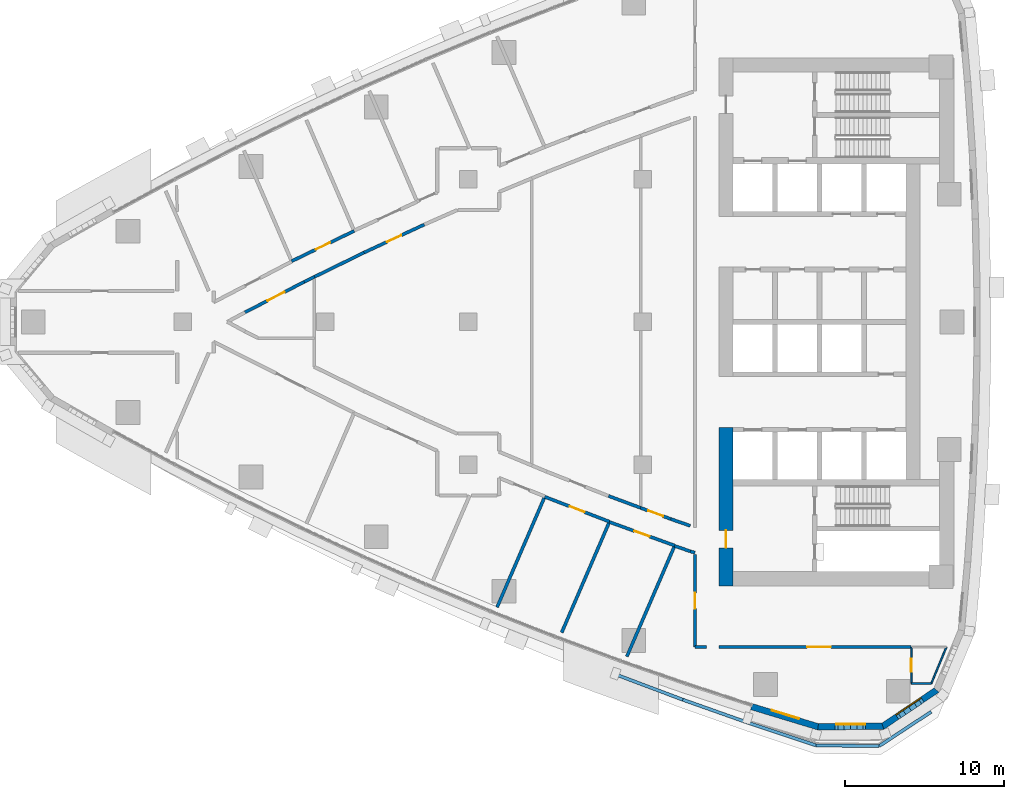
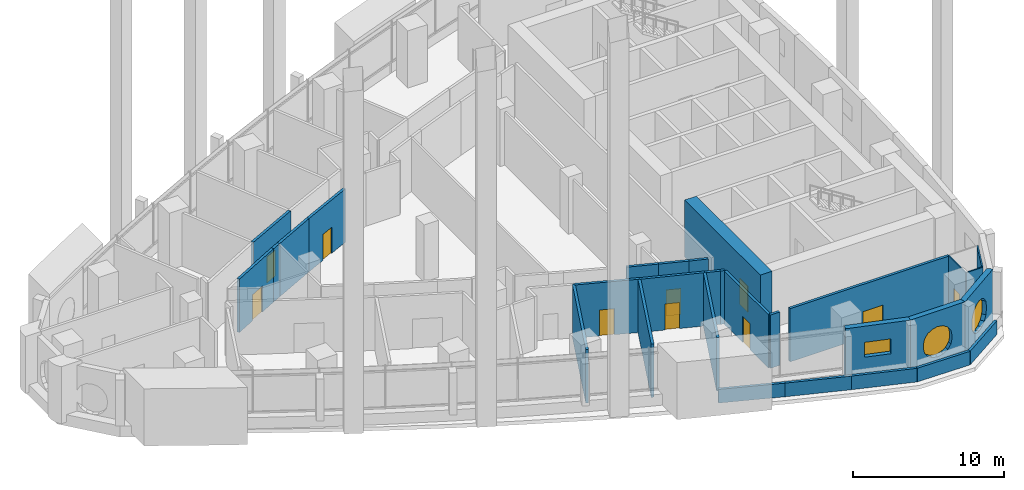
# One storey, part 8 of 17: 30 walls, 10 doors, 3 windows, 13 openings.
"""IFC4 building model written with IfcOpenShell, lengths in metres."""

from ifc_helpers import new_model, si_unit, direction, frame, frame_2d, origin, place, context, subcontext, project, spatial, polyline, rectangle, outline, extrude, material, layer, layer_set, type_object, element, fill, save


model = new_model("IFC4")

# Units and contexts
model_context = context("Model", 3, precision=1e-05, world=origin(), true_north=direction((0.0, 1.0)))
body_context = subcontext(model_context, "Body", "Model", "MODEL_VIEW")
ifc_project = project(units=[si_unit("LENGTHUNIT", "METRE"), si_unit("AREAUNIT", "SQUARE_METRE"), si_unit("VOLUMEUNIT", "CUBIC_METRE"), si_unit("PLANEANGLEUNIT", "RADIAN"), si_unit("MASSUNIT", "GRAM", prefix="KILO")], contexts=[model_context])

# Site, building, storey
site_placement = place(None, origin())
site = spatial("IfcSite", under=ifc_project, at=site_placement, CompositionType="ELEMENT")
building_placement = place(site_placement, origin())
building = spatial("IfcBuilding", under=site, at=building_placement, Name="Ostrand Prow Hotel Tower", CompositionType="ELEMENT")
storey_placement = place(building_placement, frame((0.0, 0.0, 125.60009765625)))
storey = spatial("IfcBuildingStorey", under=building, at=storey_placement, Name="L30", CompositionType="ELEMENT", Elevation=125.60009765625)

# Wall, opening, door
ifc_material_1 = material(Name="Concrete C70/85", Category="concrete")
ifc_layer_1 = layer(ifc_material_1, 0.89990234375)
ifc_layer_set_1 = layer_set([ifc_layer_1], Name="Concrete C70/85")
wall_type_1 = type_object("IfcWallType", Name="Core wall 900 C70/85", PredefinedType="SHEAR", material=ifc_layer_set_1)
wall_1_placement = place(storey_placement, frame((50.25, -16.64990234375, 0.0), z_axis=(0.0, 0.0, 1.0), x_axis=(0.0, 1.0, 0.0)))
wall_1 = element("IfcWall", 1, at=wall_1_placement, inside=storey, type_object=wall_type_1, Name="Core wall CW-W-S", PredefinedType="SHEAR", context=body_context, shape_type="SweptSolid", body=[
    extrude(rectangle(XDim=10.0, YDim=0.89990234375, at=frame_2d((5.0, 0.0))), origin(), (0.0, 0.0, 1.0), 4.599853515625),
])
opening_1_placement = place(wall_1_placement, frame((2.39990234375, 0.0, 0.0)))
opening_1 = element("IfcOpeningElement", 2, at=opening_1_placement, cuts=wall_1, Name="Opening FD1", PredefinedType="OPENING", context=body_context, shape_type="SweptSolid", body=[
    extrude(rectangle(XDim=1.10009765625, YDim=2.10009765625, at=frame_2d((0.550048828125, 1.050048828125))), frame((0.0, 0.4599609375, 0.0), z_axis=(0.0, -1.0, 0.0), x_axis=(1.0, 0.0, 0.0)), (0.0, 0.0, 1.0), 0.919921875),
])
ifc_material_2 = material(Name="Steel fire door", Category="steel")
door_type_1 = type_object("IfcDoorType", Name="Fire door 1100 EI120", OperationType="SINGLE_SWING_RIGHT", PredefinedType="DOOR", material=ifc_material_2)
door_1_placement = place(opening_1_placement, origin())
door_1 = element("IfcDoor", 3, at=door_1_placement, inside=storey, type_object=door_type_1, Name="FIRE DOOR", OperationType="SINGLE_SWING_RIGHT", OverallHeight=2.10009765625, OverallWidth=1.10009765625, PredefinedType="DOOR", context=body_context, shape_type="SweptSolid", body=[
    extrude(rectangle(XDim=1.10009765625, YDim=2.10009765625, at=frame_2d((0.550048828125, 1.050048828125))), frame((0.0, 0.02490234375, 0.0), z_axis=(0.0, -1.0, 0.0), x_axis=(1.0, 0.0, 0.0)), (0.0, 0.0, 1.0), 0.050048828125),
])
fill(opening_1, door_1)

ifc_material_3 = material(Name="Plasterboard partition")
ifc_layer_2 = layer(ifc_material_3, 0.10009765625)
ifc_layer_set_2 = layer_set([ifc_layer_2], Name="Plasterboard partition")
wall_type_2 = type_object("IfcWallType", Name="Partition 100 bathroom wall", PredefinedType="PARTITIONING", material=ifc_layer_set_2)
wall_2_placement = place(storey_placement, frame((61.9375, -22.800048828125, 0.0), z_axis=(0.0, 0.0, 1.0), x_axis=(0.0, 1.0, 0.0)))
wall_2 = element("IfcWall", 4, at=wall_2_placement, inside=storey, type_object=wall_type_2, Name="BATHROOM WALL", PredefinedType="PARTITIONING", context=body_context, shape_type="SweptSolid", body=[
    extrude(rectangle(XDim=2.300048828125, YDim=0.10009765625, at=frame_2d((1.14990234375, 0.0))), origin(), (0.0, 0.0, 1.0), 4.2998046875),
])
opening_2_placement = place(wall_2_placement, frame((0.75, 0.0, 0.0)))
opening_2 = element("IfcOpeningElement", 5, at=opening_2_placement, cuts=wall_2, Name="Opening D2", PredefinedType="OPENING", context=body_context, shape_type="SweptSolid", body=[
    extrude(rectangle(XDim=0.800048828125, YDim=2.10009765625, at=frame_2d((0.39990234375, 1.050048828125))), frame((0.0, 0.06005859375, 0.0), z_axis=(0.0, -1.0, 0.0), x_axis=(1.0, 0.0, 0.0)), (0.0, 0.0, 1.0), 0.1201171875),
])
ifc_material_4 = material(Name="Timber door leaf", Category="wood")
door_type_2 = type_object("IfcDoorType", Name="Bathroom door 800", OperationType="SINGLE_SWING_LEFT", PredefinedType="DOOR", material=ifc_material_4)
door_2_placement = place(opening_2_placement, origin())
door_2 = element("IfcDoor", 6, at=door_2_placement, inside=storey, type_object=door_type_2, Name="DOOR", OperationType="SINGLE_SWING_LEFT", OverallHeight=2.10009765625, OverallWidth=0.800048828125, PredefinedType="DOOR", context=body_context, shape_type="SweptSolid", body=[
    extrude(rectangle(XDim=0.800048828125, YDim=2.10009765625, at=frame_2d((0.39990234375, 1.050048828125))), frame((0.0, 0.02490234375, 0.0), z_axis=(0.0, -1.0, 0.0), x_axis=(1.0, 0.0, 0.0)), (0.0, 0.0, 1.0), 0.050048828125),
])
fill(opening_2, door_2)

# Walls
wall_3_placement = place(storey_placement, frame((63.1982421875, -22.800048828125, 0.0), z_axis=(0.0, 0.0, 1.0), x_axis=(-1.0, 0.0, 0.0)))
element("IfcWall", 7, at=wall_3_placement, inside=storey, type_object=wall_type_2, Name="BATHROOM WALL", PredefinedType="PARTITIONING", context=body_context, shape_type="SweptSolid", body=[
    extrude(rectangle(XDim=1.2607421875, YDim=0.10009765625, at=frame_2d((0.63037109375, 0.0))), origin(), (0.0, 0.0, 1.0), 4.2998046875),
])
wall_4_placement = place(storey_placement, frame((64.15234375, -20.5048828125, 0.0), z_axis=(0.0, 0.0, 1.0), x_axis=(-0.383855043906, -0.923393364319, 0.0)))
element("IfcWall", 8, at=wall_4_placement, inside=storey, type_object=wall_type_2, Name="BATHROOM WALL", PredefinedType="PARTITIONING", context=body_context, shape_type="SweptSolid", body=[
    extrude(rectangle(XDim=2.485595703125, YDim=0.10009765625, at=frame_2d((1.24267578125, 0.0))), origin(), (0.0, 0.0, 1.0), 4.2998046875),
])

# Wall, opening, door
ifc_material_5 = material(Name="Plasterboard partition")
ifc_layer_3 = layer(ifc_material_5, 0.199951171875)
ifc_layer_set_3 = layer_set([ifc_layer_3], Name="Plasterboard partition")
wall_type_3 = type_object("IfcWallType", Name="Partition 200 corridor wall", PredefinedType="PARTITIONING", material=ifc_layer_set_3)
wall_5_placement = place(storey_placement, frame((22.87109375, 3.826171875, 0.0), z_axis=(0.0, 0.0, 1.0), x_axis=(0.899988502444, 0.435913633038, 0.0)))
wall_5 = element("IfcWall", 9, at=wall_5_placement, inside=storey, type_object=wall_type_3, Name="CORRIDOR WALL", PredefinedType="PARTITIONING", context=body_context, shape_type="SweptSolid", body=[
    extrude(rectangle(XDim=4.3779296875, YDim=0.199951171875, at=frame_2d((2.18896484375, 0.0))), origin(), (0.0, 0.0, 1.0), 4.2998046875),
])
opening_3_placement = place(wall_5_placement, frame((1.68896484375, 0.0, 0.0)))
opening_3 = element("IfcOpeningElement", 10, at=opening_3_placement, cuts=wall_5, Name="Opening D1R", PredefinedType="OPENING", context=body_context, shape_type="SweptSolid", body=[
    extrude(rectangle(XDim=1.0, YDim=2.10009765625, at=frame_2d((0.5, 1.050048828125))), frame((0.0, 0.10986328125, 0.0), z_axis=(0.0, -1.0, 0.0), x_axis=(1.0, 0.0, 0.0)), (0.0, 0.0, 1.0), 0.219970703125),
])
ifc_material_6 = material(Name="Timber door leaf", Category="wood")
door_type_3 = type_object("IfcDoorType", Name="Guest room door 1000 right", OperationType="SINGLE_SWING_RIGHT", PredefinedType="DOOR", material=ifc_material_6)
door_3_placement = place(opening_3_placement, origin())
door_3 = element("IfcDoor", 11, at=door_3_placement, inside=storey, type_object=door_type_3, Name="DOOR", OperationType="SINGLE_SWING_RIGHT", OverallHeight=2.10009765625, OverallWidth=1.0, PredefinedType="DOOR", context=body_context, shape_type="SweptSolid", body=[
    extrude(rectangle(XDim=1.0, YDim=2.10009765625, at=frame_2d((0.5, 1.050048828125))), frame((0.0, 0.02490234375, 0.0), z_axis=(0.0, -1.0, 0.0), x_axis=(1.0, 0.0, 0.0)), (0.0, 0.0, 1.0), 0.050048828125),
])
fill(opening_3, door_3)

wall_6_placement = place(storey_placement, frame((38.824462890625, -11.027587890625, 0.0), z_axis=(0.0, 0.0, 1.0), x_axis=(0.933279441896, -0.359151059215, 0.0)))
wall_6 = element("IfcWall", 12, at=wall_6_placement, inside=storey, type_object=wall_type_3, Name="CORRIDOR WALL", PredefinedType="PARTITIONING", context=body_context, shape_type="SweptSolid", body=[
    extrude(rectangle(XDim=4.375732421875, YDim=0.199951171875, at=frame_2d((2.18798828125, 0.0))), origin(), (0.0, 0.0, 1.0), 4.2998046875),
])
opening_4_placement = place(wall_6_placement, frame((1.68798828125, 0.0, 0.0)))
opening_4 = element("IfcOpeningElement", 13, at=opening_4_placement, cuts=wall_6, Name="Opening D1R", PredefinedType="OPENING", context=body_context, shape_type="SweptSolid", body=[
    extrude(rectangle(XDim=1.0, YDim=2.10009765625, at=frame_2d((0.5, 1.050048828125))), frame((0.0, 0.10986328125, 0.0), z_axis=(0.0, -1.0, 0.0), x_axis=(1.0, 0.0, 0.0)), (0.0, 0.0, 1.0), 0.219970703125),
])
door_4_placement = place(opening_4_placement, origin())
door_4 = element("IfcDoor", 14, at=door_4_placement, inside=storey, type_object=door_type_3, Name="DOOR", OperationType="SINGLE_SWING_RIGHT", OverallHeight=2.10009765625, OverallWidth=1.0, PredefinedType="DOOR", context=body_context, shape_type="SweptSolid", body=[
    extrude(rectangle(XDim=1.0, YDim=2.10009765625, at=frame_2d((0.5, 1.050048828125))), frame((0.0, 0.02490234375, 0.0), z_axis=(0.0, -1.0, 0.0), x_axis=(1.0, 0.0, 0.0)), (0.0, 0.0, 1.0), 0.050048828125),
])
fill(opening_4, door_4)

wall_7_placement = place(storey_placement, frame((42.900390625, -12.617431640625, 0.0), z_axis=(0.0, 0.0, 1.0), x_axis=(0.940555877924, -0.339638985546, 0.0)))
wall_7 = element("IfcWall", 15, at=wall_7_placement, inside=storey, type_object=wall_type_3, Name="CORRIDOR WALL", PredefinedType="PARTITIONING", context=body_context, shape_type="SweptSolid", body=[
    extrude(rectangle(XDim=4.380615234375, YDim=0.199951171875, at=frame_2d((2.1904296875, 0.0))), origin(), (0.0, 0.0, 1.0), 4.2998046875),
])
opening_5_placement = place(wall_7_placement, frame((1.690185546875, 0.0, 0.0)))
opening_5 = element("IfcOpeningElement", 16, at=opening_5_placement, cuts=wall_7, Name="Opening D1", PredefinedType="OPENING", context=body_context, shape_type="SweptSolid", body=[
    extrude(rectangle(XDim=1.0, YDim=2.10009765625, at=frame_2d((0.5, 1.050048828125))), frame((0.0, 0.10986328125, 0.0), z_axis=(0.0, -1.0, 0.0), x_axis=(1.0, 0.0, 0.0)), (0.0, 0.0, 1.0), 0.219970703125),
])
ifc_material_7 = material(Name="Timber door leaf", Category="wood")
door_type_4 = type_object("IfcDoorType", Name="Guest room door 1000", OperationType="SINGLE_SWING_LEFT", PredefinedType="DOOR", material=ifc_material_7)
door_5_placement = place(opening_5_placement, origin())
door_5 = element("IfcDoor", 17, at=door_5_placement, inside=storey, type_object=door_type_4, Name="DOOR", OperationType="SINGLE_SWING_LEFT", OverallHeight=2.10009765625, OverallWidth=1.0, PredefinedType="DOOR", context=body_context, shape_type="SweptSolid", body=[
    extrude(rectangle(XDim=1.0, YDim=2.10009765625, at=frame_2d((0.5, 1.050048828125))), frame((0.0, 0.02490234375, 0.0), z_axis=(0.0, -1.0, 0.0), x_axis=(1.0, 0.0, 0.0)), (0.0, 0.0, 1.0), 0.050048828125),
])
fill(opening_5, door_5)

wall_8_placement = place(storey_placement, frame((19.928466796875, 0.60205078125, 0.0), z_axis=(0.0, 0.0, 1.0), x_axis=(0.889140337289, 0.457634636589, 0.0)))
wall_8 = element("IfcWall", 18, at=wall_8_placement, inside=storey, type_object=wall_type_3, Name="CORRIDOR WALL", PredefinedType="PARTITIONING", context=body_context, shape_type="SweptSolid", body=[
    extrude(rectangle(XDim=4.1953125, YDim=0.199951171875, at=frame_2d((2.09765625, 0.0))), origin(), (0.0, 0.0, 1.0), 4.2998046875),
])
opening_6_placement = place(wall_8_placement, frame((1.59765625, 0.0, 0.0)))
opening_6 = element("IfcOpeningElement", 19, at=opening_6_placement, cuts=wall_8, Name="Opening D12", PredefinedType="OPENING", context=body_context, shape_type="SweptSolid", body=[
    extrude(rectangle(XDim=1.199951171875, YDim=2.10009765625, at=frame_2d((0.60009765625, 1.050048828125))), frame((0.0, 0.10986328125, 0.0), z_axis=(0.0, -1.0, 0.0), x_axis=(1.0, 0.0, 0.0)), (0.0, 0.0, 1.0), 0.219970703125),
])
ifc_material_8 = material(Name="Steel service door", Category="steel")
door_type_5 = type_object("IfcDoorType", Name="Service door 1200", OperationType="SINGLE_SWING_RIGHT", PredefinedType="DOOR", material=ifc_material_8)
door_6_placement = place(opening_6_placement, origin())
door_6 = element("IfcDoor", 20, at=door_6_placement, inside=storey, type_object=door_type_5, Name="DOOR", OperationType="SINGLE_SWING_RIGHT", OverallHeight=2.10009765625, OverallWidth=1.199951171875, PredefinedType="DOOR", context=body_context, shape_type="SweptSolid", body=[
    extrude(rectangle(XDim=1.199951171875, YDim=2.10009765625, at=frame_2d((0.60009765625, 1.050048828125))), frame((0.0, 0.02490234375, 0.0), z_axis=(0.0, -1.0, 0.0), x_axis=(1.0, 0.0, 0.0)), (0.0, 0.0, 1.0), 0.050048828125),
])
fill(opening_6, door_6)

# Wall
wall_9_placement = place(storey_placement, frame((23.65869140625, 2.52197265625, 0.0), z_axis=(0.0, 0.0, 1.0), x_axis=(0.898090277551, 0.439811156485, 0.0)))
element("IfcWall", 21, at=wall_9_placement, inside=storey, type_object=wall_type_3, Name="CORRIDOR WALL", PredefinedType="PARTITIONING", context=body_context, shape_type="SweptSolid", body=[
    extrude(rectangle(XDim=0.7138671875, YDim=0.199951171875, at=frame_2d((0.35693359375, 0.0))), origin(), (0.0, 0.0, 1.0), 4.2998046875),
])

# Wall, opening, door
wall_10_placement = place(storey_placement, frame((27.4267578125, 4.36669921875, 0.0), z_axis=(0.0, 0.0, 1.0), x_axis=(0.906830275285, 0.421495968933, 0.0)))
wall_10 = element("IfcWall", 22, at=wall_10_placement, inside=storey, type_object=wall_type_3, Name="CORRIDOR WALL", PredefinedType="PARTITIONING", context=body_context, shape_type="SweptSolid", body=[
    extrude(rectangle(XDim=4.1953125, YDim=0.199951171875, at=frame_2d((2.09765625, 0.0))), origin(), (0.0, 0.0, 1.0), 4.2998046875),
])
opening_7_placement = place(wall_10_placement, frame((1.59765625, 0.0, 0.0)))
opening_7 = element("IfcOpeningElement", 23, at=opening_7_placement, cuts=wall_10, Name="Opening D1R", PredefinedType="OPENING", context=body_context, shape_type="SweptSolid", body=[
    extrude(rectangle(XDim=1.0, YDim=2.10009765625, at=frame_2d((0.5, 1.050048828125))), frame((0.0, 0.10986328125, 0.0), z_axis=(0.0, -1.0, 0.0), x_axis=(1.0, 0.0, 0.0)), (0.0, 0.0, 1.0), 0.219970703125),
])
door_7_placement = place(opening_7_placement, origin())
door_7 = element("IfcDoor", 24, at=door_7_placement, inside=storey, type_object=door_type_3, Name="DOOR", OperationType="SINGLE_SWING_RIGHT", OverallHeight=2.10009765625, OverallWidth=1.0, PredefinedType="DOOR", context=body_context, shape_type="SweptSolid", body=[
    extrude(rectangle(XDim=1.0, YDim=2.10009765625, at=frame_2d((0.5, 1.050048828125))), frame((0.0, 0.02490234375, 0.0), z_axis=(0.0, -1.0, 0.0), x_axis=(1.0, 0.0, 0.0)), (0.0, 0.0, 1.0), 0.050048828125),
])
fill(opening_7, door_7)

# Walls
wall_11_placement = place(storey_placement, frame((24.2998046875, 2.8359375, 0.0), z_axis=(0.0, 0.0, 1.0), x_axis=(0.898154271981, 0.43968045638, 0.0)))
element("IfcWall", 25, at=wall_11_placement, inside=storey, type_object=wall_type_3, Name="CORRIDOR WALL", PredefinedType="PARTITIONING", context=body_context, shape_type="SweptSolid", body=[
    extrude(rectangle(XDim=3.4814453125, YDim=0.199951171875, at=frame_2d((1.74072265625, 0.0))), origin(), (0.0, 0.0, 1.0), 4.2998046875),
])
wall_12_placement = place(storey_placement, frame((44.871337890625, -11.7265625, 0.0), z_axis=(0.0, 0.0, 1.0), x_axis=(-0.937739210033, 0.347340141601, 0.0)))
element("IfcWall", 26, at=wall_12_placement, inside=storey, type_object=wall_type_3, Name="CORRIDOR WALL", PredefinedType="PARTITIONING", context=body_context, shape_type="SweptSolid", body=[
    extrude(rectangle(XDim=2.158447265625, YDim=0.199951171875, at=frame_2d((1.0791015625, 0.0))), origin(), (0.0, 0.0, 1.0), 4.2998046875),
])

# Wall, opening, door
wall_13_placement = place(storey_placement, frame((46.78125, -12.43408203125, 0.0), z_axis=(0.0, 0.0, 1.0), x_axis=(-0.937725623728, 0.347376819323, 0.0)))
wall_13 = element("IfcWall", 27, at=wall_13_placement, inside=storey, type_object=wall_type_3, Name="CORRIDOR WALL", PredefinedType="PARTITIONING", context=body_context, shape_type="SweptSolid", body=[
    extrude(rectangle(XDim=2.036865234375, YDim=0.199951171875, at=frame_2d((1.0185546875, 0.0))), origin(), (0.0, 0.0, 1.0), 4.2998046875),
])
opening_8_placement = place(wall_13_placement, frame((0.518310546875, 0.0, 0.0)))
opening_8 = element("IfcOpeningElement", 28, at=opening_8_placement, cuts=wall_13, Name="Opening D1R", PredefinedType="OPENING", context=body_context, shape_type="SweptSolid", body=[
    extrude(rectangle(XDim=1.0, YDim=2.10009765625, at=frame_2d((0.5, 1.050048828125))), frame((0.0, 0.10986328125, 0.0), z_axis=(0.0, -1.0, 0.0), x_axis=(1.0, 0.0, 0.0)), (0.0, 0.0, 1.0), 0.219970703125),
])
door_8_placement = place(opening_8_placement, origin())
door_8 = element("IfcDoor", 29, at=door_8_placement, inside=storey, type_object=door_type_3, Name="DOOR", OperationType="SINGLE_SWING_RIGHT", OverallHeight=2.10009765625, OverallWidth=1.0, PredefinedType="DOOR", context=body_context, shape_type="SweptSolid", body=[
    extrude(rectangle(XDim=1.0, YDim=2.10009765625, at=frame_2d((0.5, 1.050048828125))), frame((0.0, 0.02490234375, 0.0), z_axis=(0.0, -1.0, 0.0), x_axis=(1.0, 0.0, 0.0)), (0.0, 0.0, 1.0), 0.050048828125),
])
fill(opening_8, door_8)

wall_14_placement = place(storey_placement, frame((49.800048828125, -20.5048828125, 0.0), z_axis=(0.0, 0.0, 1.0), x_axis=(1.0, 0.0, 0.0)))
wall_14 = element("IfcWall", 30, at=wall_14_placement, inside=storey, type_object=wall_type_3, Name="CORRIDOR WALL", PredefinedType="PARTITIONING", context=body_context, shape_type="SweptSolid", body=[
    extrude(rectangle(XDim=12.132568359375, YDim=0.199951171875, at=frame_2d((6.06640625, 0.0))), origin(), (0.0, 0.0, 1.0), 4.2998046875),
])
opening_9_placement = place(wall_14_placement, frame((5.56640625, 0.0, 0.0)))
opening_9 = element("IfcOpeningElement", 31, at=opening_9_placement, cuts=wall_14, Name="Opening D15", PredefinedType="OPENING", context=body_context, shape_type="SweptSolid", body=[
    extrude(rectangle(XDim=1.5, YDim=2.10009765625, at=frame_2d((0.75, 1.050048828125))), frame((0.0, 0.10986328125, 0.0), z_axis=(0.0, -1.0, 0.0), x_axis=(1.0, 0.0, 0.0)), (0.0, 0.0, 1.0), 0.219970703125),
])
ifc_material_9 = material(Name="Timber door leaf", Category="wood")
door_type_6 = type_object("IfcDoorType", Name="Double door 1500", OperationType="DOUBLE_DOOR_SINGLE_SWING", PredefinedType="DOOR", material=ifc_material_9)
door_9_placement = place(opening_9_placement, origin())
door_9 = element("IfcDoor", 32, at=door_9_placement, inside=storey, type_object=door_type_6, Name="DOOR", OperationType="DOUBLE_DOOR_SINGLE_SWING", OverallHeight=2.10009765625, OverallWidth=1.5, PredefinedType="DOOR", context=body_context, shape_type="SweptSolid", body=[
    extrude(rectangle(XDim=1.5, YDim=2.10009765625, at=frame_2d((0.75, 1.050048828125))), frame((0.0, 0.02490234375, 0.0), z_axis=(0.0, -1.0, 0.0), x_axis=(1.0, 0.0, 0.0)), (0.0, 0.0, 1.0), 0.050048828125),
])
fill(opening_9, door_9)

# Walls
wall_15_placement = place(storey_placement, frame((47.012451171875, -14.123779296875, 0.0), z_axis=(0.0, 0.0, 1.0), x_axis=(0.944566081842, -0.32832136244, 0.0)))
element("IfcWall", 33, at=wall_15_placement, inside=storey, type_object=wall_type_3, Name="CORRIDOR WALL", PredefinedType="PARTITIONING", context=body_context, shape_type="SweptSolid", body=[
    extrude(rectangle(XDim=1.04541015625, YDim=0.199951171875, at=frame_2d((0.522705078125, 0.0))), origin(), (0.0, 0.0, 1.0), 4.2998046875),
])
wall_16_placement = place(storey_placement, frame((48.0, -12.85791015625, 0.0), z_axis=(0.0, 0.0, 1.0), x_axis=(-0.944517215109, 0.328461916152, 0.0)))
element("IfcWall", 34, at=wall_16_placement, inside=storey, type_object=wall_type_3, Name="CORRIDOR WALL", PredefinedType="PARTITIONING", context=body_context, shape_type="SweptSolid", body=[
    extrude(rectangle(XDim=1.290283203125, YDim=0.199951171875, at=frame_2d((0.64501953125, 0.0))), origin(), (0.0, 0.0, 1.0), 4.2998046875),
])
wall_17_placement = place(storey_placement, frame((48.0, -14.467041015625, 0.0), z_axis=(0.0, 0.0, 1.0), x_axis=(0.959415658226, -0.281995735341, 0.0)))
element("IfcWall", 35, at=wall_17_placement, inside=storey, type_object=wall_type_3, Name="CORRIDOR WALL", PredefinedType="PARTITIONING", context=body_context, shape_type="SweptSolid", body=[
    extrude(rectangle(XDim=0.31005859375, YDim=0.199951171875, at=frame_2d((0.155029296875, 0.0))), origin(), (0.0, 0.0, 1.0), 4.2998046875),
])

# Wall, opening, door
wall_18_placement = place(storey_placement, frame((48.294921875, -14.673583984375, 0.0), z_axis=(0.0, 0.0, 1.0), x_axis=(0.0, -1.0, 0.0)))
wall_18 = element("IfcWall", 36, at=wall_18_placement, inside=storey, type_object=wall_type_3, Name="CORRIDOR WALL", PredefinedType="PARTITIONING", context=body_context, shape_type="SweptSolid", body=[
    extrude(rectangle(XDim=5.826904296875, YDim=0.199951171875, at=frame_2d((2.91357421875, 0.0))), origin(), (0.0, 0.0, 1.0), 4.2998046875),
])
opening_10_placement = place(wall_18_placement, frame((2.4130859375, 0.0, 0.0)))
opening_10 = element("IfcOpeningElement", 37, at=opening_10_placement, cuts=wall_18, Name="Opening D1", PredefinedType="OPENING", context=body_context, shape_type="SweptSolid", body=[
    extrude(rectangle(XDim=1.0, YDim=2.10009765625, at=frame_2d((0.5, 1.050048828125))), frame((0.0, 0.10986328125, 0.0), z_axis=(0.0, -1.0, 0.0), x_axis=(1.0, 0.0, 0.0)), (0.0, 0.0, 1.0), 0.219970703125),
])
door_10_placement = place(opening_10_placement, origin())
door_10 = element("IfcDoor", 38, at=door_10_placement, inside=storey, type_object=door_type_4, Name="DOOR", OperationType="SINGLE_SWING_LEFT", OverallHeight=2.10009765625, OverallWidth=1.0, PredefinedType="DOOR", context=body_context, shape_type="SweptSolid", body=[
    extrude(rectangle(XDim=1.0, YDim=2.10009765625, at=frame_2d((0.5, 1.050048828125))), frame((0.0, 0.02490234375, 0.0), z_axis=(0.0, -1.0, 0.0), x_axis=(1.0, 0.0, 0.0)), (0.0, 0.0, 1.0), 0.050048828125),
])
fill(opening_10, door_10)

# Walls
wall_19_placement = place(storey_placement, frame((48.294921875, -20.50048828125, 0.0), z_axis=(0.0, 0.0, 1.0), x_axis=(0.999981117305, -0.006145326088, 0.0)))
element("IfcWall", 39, at=wall_19_placement, inside=storey, type_object=wall_type_3, Name="CORRIDOR WALL", PredefinedType="PARTITIONING", context=body_context, shape_type="SweptSolid", body=[
    extrude(rectangle(XDim=0.715087890625, YDim=0.199951171875, at=frame_2d((0.357421875, 0.0))), origin(), (0.0, 0.0, 1.0), 4.2998046875),
])
ifc_material_10 = material(Name="Plasterboard partition")
ifc_layer_4 = layer(ifc_material_10, 0.199951171875)
ifc_layer_set_4 = layer_set([ifc_layer_4], Name="Plasterboard partition")
wall_type_4 = type_object("IfcWallType", Name="Partition 200 key partition", PredefinedType="PARTITIONING", material=ifc_layer_set_4)
wall_20_placement = place(storey_placement, frame((35.8212890625, -17.991455078125, 0.0), z_axis=(0.0, 0.0, 1.0), x_axis=(0.395987603644, 0.918255856371, 0.0)))
element("IfcWall", 40, at=wall_20_placement, inside=storey, type_object=wall_type_4, Name="KEY PARTITION", PredefinedType="PARTITIONING", context=body_context, shape_type="SweptSolid", body=[
    extrude(rectangle(XDim=7.603759765625, YDim=0.199951171875, at=frame_2d((3.8017578125, 0.0))), origin(), (0.0, 0.0, 1.0), 4.2998046875),
])
wall_21_placement = place(storey_placement, frame((39.89453125, -19.58740234375, 0.0), z_axis=(0.0, 0.0, 1.0), x_axis=(0.395993528256, 0.918253301426, 0.0)))
element("IfcWall", 41, at=wall_21_placement, inside=storey, type_object=wall_type_4, Name="KEY PARTITION", PredefinedType="PARTITIONING", context=body_context, shape_type="SweptSolid", body=[
    extrude(rectangle(XDim=7.6103515625, YDim=0.199951171875, at=frame_2d((3.80517578125, 0.0))), origin(), (0.0, 0.0, 1.0), 4.2998046875),
])
wall_22_placement = place(storey_placement, frame((44.0029296875, -21.102294921875, 0.0), z_axis=(0.0, 0.0, 1.0), x_axis=(0.39600636385, 0.918247766014, 0.0)))
element("IfcWall", 42, at=wall_22_placement, inside=storey, type_object=wall_type_4, Name="KEY PARTITION", PredefinedType="PARTITIONING", context=body_context, shape_type="SweptSolid", body=[
    extrude(rectangle(XDim=7.6201171875, YDim=0.199951171875, at=frame_2d((3.81005859375, 0.0))), origin(), (0.0, 0.0, 1.0), 4.2998046875),
])
ifc_material_11 = material(Name="Precast concrete C40/50", Category="concrete")
ifc_layer_5 = layer(ifc_material_11, 0.199951171875)
ifc_layer_set_5 = layer_set([ifc_layer_5], Name="Precast concrete C40/50")
wall_type_5 = type_object("IfcWallType", Name="Roof parapet 200 mm precast concrete", PredefinedType="PARAPET", material=ifc_layer_set_5)
for number, where, z_axis, x_axis, name in (
    (43, (43.357421875, -22.252197265625, 0.0), (0.0, 0.0, 1.0), (0.935866998846, -0.352353459569, 0.0), "Roof parapet LPR0 1.7"),
    (44, (47.529541015625, -23.822998046875, 0.0), (0.0, 0.0, 1.0), (0.942764657465, -0.333458843991, 0.0), "Roof parapet LPR0 1.8"),
):
    element("IfcWall", number, at=place(storey_placement, frame(where, z_axis=z_axis, x_axis=x_axis)), inside=storey, type_object=wall_type_5, Name=name, PredefinedType="PARAPET", context=body_context, shape_type="SweptSolid", body=[
        extrude(rectangle(XDim=4.4580078125, YDim=0.199951171875, at=frame_2d((2.22900390625, 0.0))), origin(), (0.0, 0.0, 1.0), 1.099853515625),
    ])
wall_23_placement = place(storey_placement, frame((51.732421875, -25.3095703125, 0.0), z_axis=(0.0, 0.0, 1.0), x_axis=(0.949239872228, -0.314553119476, 0.0)))
element("IfcWall", 45, at=wall_23_placement, inside=storey, type_object=wall_type_5, Name="Roof parapet LPR0 1.9", PredefinedType="PARAPET", context=body_context, shape_type="SweptSolid", body=[
    extrude(rectangle(XDim=4.418701171875, YDim=0.199951171875, at=frame_2d((2.20947265625, 0.0))), origin(), (0.0, 0.0, 1.0), 1.099853515625),
])
wall_24_placement = place(storey_placement, frame((55.9267578125, -26.699462890625, 0.0), z_axis=(0.0, 0.0, 1.0), x_axis=(0.999920031891, -0.012646336356, 0.0)))
element("IfcWall", 46, at=wall_24_placement, inside=storey, type_object=wall_type_5, Name="Roof parapet LPR0 1.10", PredefinedType="PARAPET", context=body_context, shape_type="SweptSolid", body=[
    extrude(rectangle(XDim=3.976806640625, YDim=0.199951171875, at=frame_2d((1.98828125, 0.0))), origin(), (0.0, 0.0, 1.0), 1.099853515625),
])
wall_25_placement = place(storey_placement, frame((59.9033203125, -26.749755859375, 0.0), z_axis=(0.0, 0.0, 1.0), x_axis=(0.835346627005, 0.549723578493, 0.0)))
element("IfcWall", 47, at=wall_25_placement, inside=storey, type_object=wall_type_5, Name="Roof parapet LPR0 1.11", PredefinedType="PARAPET", context=body_context, shape_type="SweptSolid", body=[
    extrude(rectangle(XDim=3.936279296875, YDim=0.199951171875, at=frame_2d((1.96826171875, 0.0))), origin(), (0.0, 0.0, 1.0), 1.099853515625),
])

# Wall, opening, window
ifc_material_12 = material(Name="Precast concrete C40/50", Category="concrete")
ifc_layer_6 = layer(ifc_material_12, 0.39990234375)
ifc_layer_set_6 = layer_set([ifc_layer_6], Name="Precast concrete C40/50")
wall_type_6 = type_object("IfcWallType", Name="Stone-faced precast wall 400 mm", PredefinedType="NOTDEFINED", material=ifc_layer_set_6)
wall_26_placement = place(storey_placement, frame((51.85888671875, -24.257080078125, 0.0), z_axis=(0.0, 0.0, 1.0), x_axis=(0.956964488344, -0.290205044837, 0.0)))
wall_26 = element("IfcWall", 48, at=wall_26_placement, inside=storey, type_object=wall_type_6, Name="Stone-faced wall back 1", PredefinedType="NOTDEFINED", context=body_context, shape_type="SweptSolid", body=[
    extrude(outline(polyline([(0.0, -0.199951171875), (4.41845703125, -0.199951171875), (4.357421875, 0.199951171875), (0.0, 0.199951171875), (0.0, -0.199951171875)])), origin(), (0.0, 0.0, 1.0), 4.2998046875),
])
opening_11_placement = place(wall_26_placement, frame((1.2939453125, 0.0, 1.800048828125)))
opening_11 = element("IfcOpeningElement", 49, at=opening_11_placement, cuts=wall_26, Name="Opening WC1", PredefinedType="OPENING", context=body_context, shape_type="SweptSolid", body=[
    extrude(rectangle(XDim=1.800048828125, YDim=1.199951171875, at=frame_2d((0.89990234375, 0.60009765625))), frame((0.0, 0.2099609375, 0.0), z_axis=(0.0, -1.0, 0.0), x_axis=(1.0, 0.0, 0.0)), (0.0, 0.0, 1.0), 0.419921875),
])
ifc_material_13 = material(Name="Insulated glass in bronze frame", Category="glass")
window_type_1 = type_object("IfcWindowType", Name="Sky lobby clerestory window 1800x1200", PartitioningType="SINGLE_PANEL", PredefinedType="WINDOW", material=ifc_material_13)
window_1_placement = place(opening_11_placement, origin())
window_1 = element("IfcWindow", 50, at=window_1_placement, inside=storey, type_object=window_type_1, Name="Window back 1.1", OverallHeight=1.199951171875, OverallWidth=1.800048828125, PartitioningType="SINGLE_PANEL", PredefinedType="WINDOW", context=body_context, shape_type="SweptSolid", body=[
    extrude(rectangle(XDim=1.800048828125, YDim=1.199951171875, at=frame_2d((0.89990234375, 0.60009765625))), frame((0.0, 0.169921875, 0.0), z_axis=(0.0, -1.0, 0.0), x_axis=(1.0, 0.0, 0.0)), (0.0, 0.0, 1.0), 0.06005859375),
])
fill(opening_11, window_1)

wall_27_placement = place(storey_placement, frame((56.05810546875, -25.530517578125, 0.0), z_axis=(0.0, 0.0, 1.0), x_axis=(0.99996933771, 0.007830941131, 0.0)))
wall_27 = element("IfcWall", 51, at=wall_27_placement, inside=storey, type_object=wall_type_6, Name="Stone-faced wall back 2", PredefinedType="NOTDEFINED", context=body_context, shape_type="SweptSolid", body=[
    extrude(outline(polyline([(-0.030517578125, -0.199951171875), (4.14453125, -0.199951171875), (4.02392578125, 0.199951171875), (0.030517578125, 0.199951171875), (-0.030517578125, -0.199951171875)])), origin(), (0.0, 0.0, 1.0), 4.2998046875),
])
opening_12_placement = place(wall_27_placement, frame((0.94189453125, 0.0, 0.60009765625)))
opening_12 = element("IfcOpeningElement", 52, at=opening_12_placement, cuts=wall_27, Name="Opening WP2", PredefinedType="OPENING", context=body_context, shape_type="SweptSolid", body=[
    extrude(outline(polyline([(0.0, 1.35009765625), (0.083740234375, 1.77099609375), (0.322265625, 2.127685546875), (0.678955078125, 2.3662109375), (1.10009765625, 2.449951171875), (1.52099609375, 2.3662109375), (1.877685546875, 2.127685546875), (2.1162109375, 1.77099609375), (2.199951171875, 1.35009765625), (2.199951171875, 1.10009765625), (2.1162109375, 0.678955078125), (1.877685546875, 0.322265625), (1.52099609375, 0.083740234375), (1.10009765625, 0.0), (0.678955078125, 0.083740234375), (0.322265625, 0.322265625), (0.083740234375, 0.678955078125), (0.0, 1.099853515625), (0.0, 1.35009765625)])), frame((0.0, 0.2099609375, 0.0), z_axis=(0.0, -1.0, 0.0), x_axis=(1.0, 0.0, 0.0)), (0.0, 0.0, 1.0), 0.419921875),
])
ifc_material_14 = material(Name="Insulated glass in bronze frame", Category="glass")
window_type_2 = type_object("IfcWindowType", Name="Round-ended prow lounge window 2200x2450", PartitioningType="SINGLE_PANEL", PredefinedType="WINDOW", material=ifc_material_14)
window_2_placement = place(opening_12_placement, origin())
window_2 = element("IfcWindow", 53, at=window_2_placement, inside=storey, type_object=window_type_2, Name="Window back 2.1", OverallHeight=2.449951171875, OverallWidth=2.199951171875, PartitioningType="SINGLE_PANEL", PredefinedType="WINDOW", context=body_context, shape_type="SweptSolid", body=[
    extrude(outline(polyline([(0.0, 1.35009765625), (0.083740234375, 1.77099609375), (0.322265625, 2.127685546875), (0.678955078125, 2.3662109375), (1.10009765625, 2.449951171875), (1.52099609375, 2.3662109375), (1.877685546875, 2.127685546875), (2.1162109375, 1.77099609375), (2.199951171875, 1.35009765625), (2.199951171875, 1.10009765625), (2.1162109375, 0.678955078125), (1.877685546875, 0.322265625), (1.52099609375, 0.083740234375), (1.10009765625, 0.0), (0.678955078125, 0.083740234375), (0.322265625, 0.322265625), (0.083740234375, 0.678955078125), (0.0, 1.099853515625), (0.0, 1.35009765625)])), frame((0.0, 0.169921875, 0.0), z_axis=(0.0, -1.0, 0.0), x_axis=(1.0, 0.0, 0.0)), (0.0, 0.0, 1.0), 0.06005859375),
])
fill(opening_12, window_2)

wall_28_placement = place(storey_placement, frame((60.14208984375, -25.49853515625, 0.0), z_axis=(0.0, 0.0, 1.0), x_axis=(0.829642062482, 0.558295663749, 0.0)))
wall_28 = element("IfcWall", 54, at=wall_28_placement, inside=storey, type_object=wall_type_6, Name="Stone-faced wall back 3", PredefinedType="NOTDEFINED", context=body_context, shape_type="SweptSolid", body=[
    extrude(outline(polyline([(-0.060302734375, -0.199951171875), (4.144287109375, -0.199951171875), (4.023681640625, 0.199951171875), (0.060302734375, 0.199951171875), (-0.060302734375, -0.199951171875)])), origin(), (0.0, 0.0, 1.0), 4.2998046875),
])
opening_13_placement = place(wall_28_placement, frame((0.94189453125, 0.0, 0.60009765625)))
opening_13 = element("IfcOpeningElement", 55, at=opening_13_placement, cuts=wall_28, Name="Opening WP2", PredefinedType="OPENING", context=body_context, shape_type="SweptSolid", body=[
    extrude(outline(polyline([(0.0, 1.35009765625), (0.083740234375, 1.77099609375), (0.322265625, 2.127685546875), (0.678955078125, 2.3662109375), (1.10009765625, 2.449951171875), (1.52099609375, 2.3662109375), (1.877685546875, 2.127685546875), (2.1162109375, 1.77099609375), (2.199951171875, 1.35009765625), (2.199951171875, 1.10009765625), (2.1162109375, 0.678955078125), (1.877685546875, 0.322265625), (1.52099609375, 0.083740234375), (1.10009765625, 0.0), (0.678955078125, 0.083740234375), (0.322265625, 0.322265625), (0.083740234375, 0.678955078125), (0.0, 1.099853515625), (0.0, 1.35009765625)])), frame((0.0, 0.2099609375, 0.0), z_axis=(0.0, -1.0, 0.0), x_axis=(1.0, 0.0, 0.0)), (0.0, 0.0, 1.0), 0.419921875),
])
window_3_placement = place(opening_13_placement, origin())
window_3 = element("IfcWindow", 56, at=window_3_placement, inside=storey, type_object=window_type_2, Name="Window back 3.1", OverallHeight=2.449951171875, OverallWidth=2.199951171875, PartitioningType="SINGLE_PANEL", PredefinedType="WINDOW", context=body_context, shape_type="SweptSolid", body=[
    extrude(outline(polyline([(0.0, 1.35009765625), (0.083740234375, 1.77099609375), (0.322265625, 2.127685546875), (0.678955078125, 2.3662109375), (1.10009765625, 2.449951171875), (1.52099609375, 2.3662109375), (1.877685546875, 2.127685546875), (2.1162109375, 1.77099609375), (2.199951171875, 1.35009765625), (2.199951171875, 1.10009765625), (2.1162109375, 0.678955078125), (1.877685546875, 0.322265625), (1.52099609375, 0.083740234375), (1.10009765625, 0.0), (0.678955078125, 0.083740234375), (0.322265625, 0.322265625), (0.083740234375, 0.678955078125), (0.0, 1.099853515625), (0.0, 1.35009765625)])), frame((0.0, 0.169921875, 0.0), z_axis=(0.0, -1.0, 0.0), x_axis=(1.0, 0.0, 0.0)), (0.0, 0.0, 1.0), 0.06005859375),
])
fill(opening_13, window_3)

save(model, "model.ifc")
